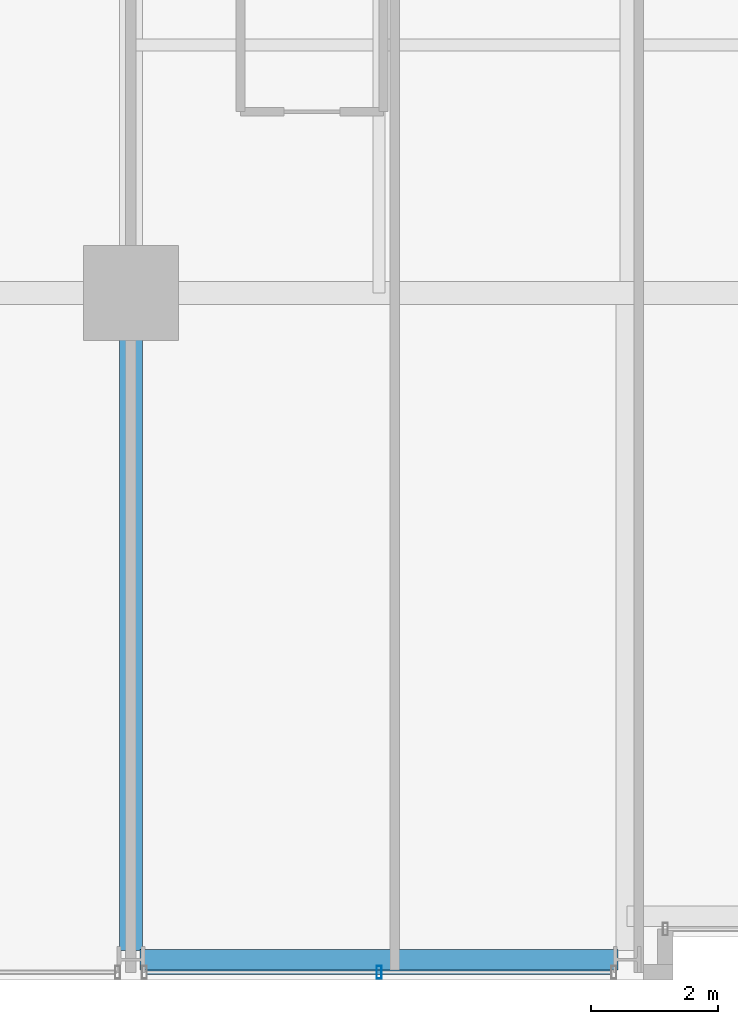
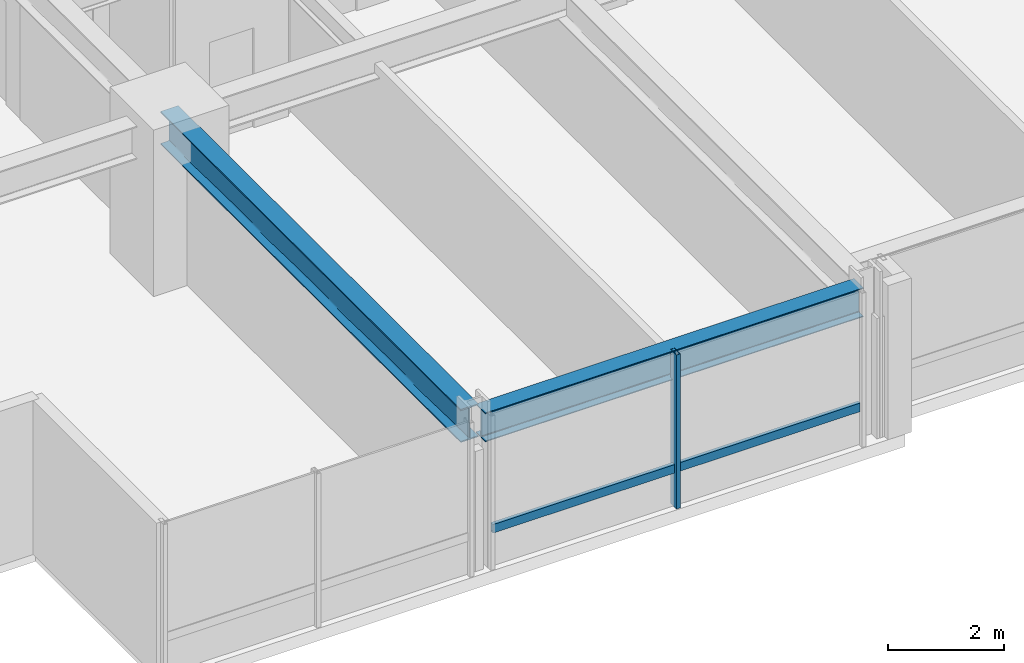
# One storey, part 3 of 34: 2 beams, 2 members, 1 element without a shape of its own.
"""IFC4 building model written with IfcOpenShell, lengths in metres."""

from ifc_helpers import new_model, si_unit, direction, frame, origin, origin_2d, place, context, subcontext, project, spatial, hollow_rectangle, i_section, extrude, material, layer, layer_set, material_profile, profile_set, type_object, element, aggregate, save


model = new_model("IFC4")

# Units and contexts
model_context = context("Model", 3, precision=1e-05, world=origin(), true_north=direction((0.0, 1.0)))
body_context = subcontext(model_context, "Body", "Model", "MODEL_VIEW")
ifc_project = project(units=[si_unit("LENGTHUNIT", "METRE"), si_unit("AREAUNIT", "SQUARE_METRE"), si_unit("VOLUMEUNIT", "CUBIC_METRE"), si_unit("PLANEANGLEUNIT", "RADIAN"), si_unit("MASSUNIT", "GRAM", prefix="KILO")], contexts=[model_context])

# Site, building, storey
site_placement = place(None, origin())
site = spatial("IfcSite", under=ifc_project, at=site_placement, CompositionType="ELEMENT")
building_placement = place(site_placement, origin())
building = spatial("IfcBuilding", under=site, at=building_placement, Name="Drelvath Grand Hotel", CompositionType="ELEMENT")
storey_placement = place(building_placement, frame((0.0, 0.0, 133.800048828125)))
storey = spatial("IfcBuildingStorey", under=building, at=storey_placement, Name="L34", CompositionType="ELEMENT", Elevation=133.800048828125)

# Curtain wall, members
ifc_material_1 = material(Name="Champagne Bronze Anodised Aluminium Frame", Category="aluminium")
ifc_layer = layer(ifc_material_1, 0.199951171875)
ifc_layer_set = layer_set([ifc_layer], Name="Champagne Bronze Anodised Aluminium Frame")
curtain_wall_type = type_object("IfcCurtainWallType", Name="Stick Curtain Wall CW-03 Champagne Bronze Mid-Rise", PredefinedType="NOTDEFINED", material=ifc_layer_set)
curtain_wall_placement = place(storey_placement, origin())
curtain_wall = element("IfcCurtainWall", 1, at=curtain_wall_placement, inside=storey, type_object=curtain_wall_type, Name="L34 CW-03 Curtain Wall CW03-L34-SW2", PredefinedType="NOTDEFINED")
ifc_material_profile_1 = material_profile(ifc_material_1, hollow_rectangle(XDim=0.074951171875, YDim=0.179931640625, WallThickness=0.0048828125, at=origin_2d()), Name="HSS180X75X5")
ifc_profile_set_1 = profile_set([ifc_material_profile_1], Name="Champagne Bronze Anodised Aluminium Frame")
member_type_1 = type_object("IfcMemberType", Name="Curtain Wall Horizontal Transom CW-03 HSS180X75X5", PredefinedType="USERDEFINED", material=ifc_profile_set_1)
member_1_placement = place(storey_placement, frame((-8.6494140625, 0.1201171875, 0.81005859375), z_axis=(-1.0, 0.0, 0.0), x_axis=(0.0, -1.0, 0.0)))
member_1 = element("IfcMember", 2, at=member_1_placement, type_object=member_type_1, Name="CW03-L34-SW2 Sill Transom", ObjectType="TRANSOM", PredefinedType="USERDEFINED", context=body_context, shape_type="SweptSolid", body=[
    extrude(hollow_rectangle(XDim=0.074951171875, YDim=0.179931640625, WallThickness=0.0048828125, at=origin_2d()), origin(), (0.0, 0.0, 1.0), 7.30126953125),
])
ifc_material_profile_2 = material_profile(ifc_material_1, hollow_rectangle(XDim=0.080078125, YDim=0.199951171875, WallThickness=0.0048828125, at=origin_2d()), Name="HSS200X80X5")
ifc_profile_set_2 = profile_set([ifc_material_profile_2], Name="Champagne Bronze Anodised Aluminium Frame")
member_type_2 = type_object("IfcMemberType", Name="Curtain Wall Vertical Mullion CW-03 HSS200X80X5", PredefinedType="MULLION", material=ifc_profile_set_2)
member_2_placement = place(storey_placement, frame((-12.300048828125, 0.1201171875, 0.0), z_axis=(0.0, 0.0, 1.0), x_axis=(1.0, 0.0, 0.0)))
member_2 = element("IfcMember", 3, at=member_2_placement, type_object=member_type_2, Name="CW03-L34-SW2 Mullion 2", PredefinedType="MULLION", context=body_context, shape_type="SweptSolid", body=[
    extrude(hollow_rectangle(XDim=0.080078125, YDim=0.199951171875, WallThickness=0.0048828125, at=origin_2d()), origin(), (0.0, 0.0, 1.0), 3.239990234375),
])
aggregate(curtain_wall, [member_2, member_1])

# Beams
ifc_material_2 = material(Name="Steel ASTM A992 Gr 50", Category="steel")
ifc_material_profile_3 = material_profile(ifc_material_2, i_section(OverallWidth=0.323974609375, OverallDepth=0.611083984375, WebThickness=0.0126953125, FlangeThickness=0.01904296875, FilletRadius=0.02197265625, at=origin_2d()), Name="W24X104")
ifc_profile_set_3 = profile_set([ifc_material_profile_3], Name="Steel ASTM A992 Gr 50")
beam_type_1 = type_object("IfcBeamType", Name="Perimeter Spandrel Beam W24X104", PredefinedType="SPANDREL", material=ifc_profile_set_3)
beam_1_placement = place(storey_placement, frame((-16.06005859375, 0.320068359375, 2.934326171875), z_axis=(1.0, 0.0, 0.0), x_axis=(0.0, 1.0, 0.0)))
element("IfcBeam", 4, at=beam_1_placement, inside=storey, type_object=beam_type_1, Name="L34 Spandrel South W", PredefinedType="SPANDREL", context=body_context, shape_type="SweptSolid", body=[
    extrude(i_section(OverallWidth=0.323974609375, OverallDepth=0.611083984375, WebThickness=0.0126953125, FlangeThickness=0.01904296875, FilletRadius=0.02197265625, at=origin_2d()), origin(), (0.0, 0.0, 1.0), 7.52001953125),
])
ifc_material_profile_4 = material_profile(ifc_material_2, i_section(OverallWidth=0.354736328125, OverallDepth=0.695556640625, WebThickness=0.015380859375, FlangeThickness=0.025146484375, FilletRadius=0.02392578125, at=origin_2d()), Name="W27X146")
ifc_profile_set_4 = profile_set([ifc_material_profile_4], Name="Steel ASTM A992 Gr 50")
beam_type_2 = type_object("IfcBeamType", Name="Primary Floor Girder W27X146", PredefinedType="BEAM", material=ifc_profile_set_4)
beam_2_placement = place(storey_placement, frame((-16.199951171875, 0.4599609375, 2.892333984375), z_axis=(0.0, 1.0, 0.0), x_axis=(-1.0, 0.0, 0.0)))
element("IfcBeam", 5, at=beam_2_placement, inside=storey, type_object=beam_type_2, Name="L34 South Grid Girder 3", PredefinedType="BEAM", context=body_context, shape_type="SweptSolid", body=[
    extrude(i_section(OverallWidth=0.354736328125, OverallDepth=0.695556640625, WebThickness=0.015380859375, FlangeThickness=0.025146484375, FilletRadius=0.02392578125, at=origin_2d()), origin(), (0.0, 0.0, 1.0), 10.340087890625),
])

save(model, "model.ifc")
